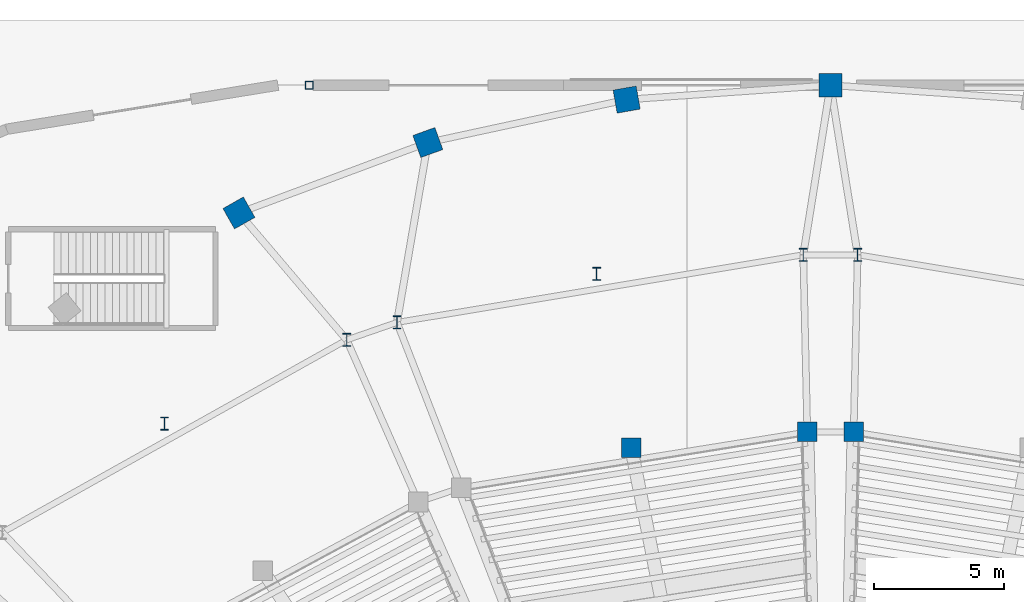
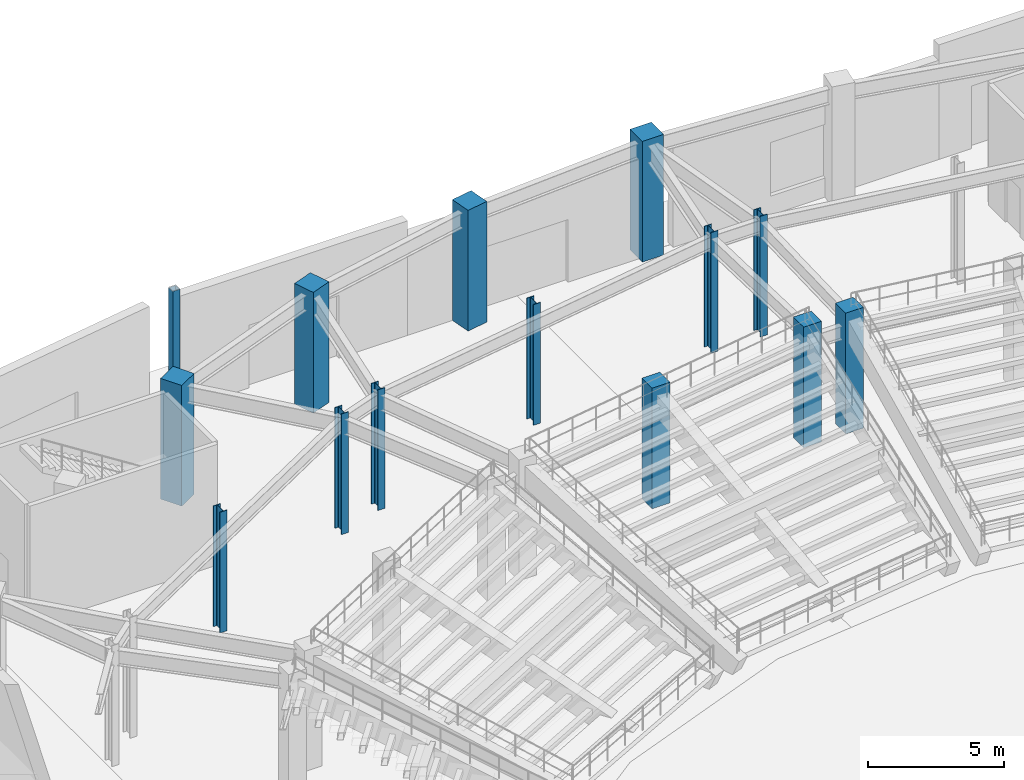
# One storey, part 14 of 79: 14 columns.
"""IFC4 building model written with IfcOpenShell, lengths in metres."""

from ifc_helpers import new_model, si_unit, direction, frame, origin, origin_2d, place, context, subcontext, project, spatial, rectangle, hollow_rectangle, i_section, extrude, material, material_profile, profile_set, type_object, element, save


model = new_model("IFC4")

# Units and contexts
model_context = context("Model", 3, precision=1e-05, world=origin(), true_north=direction((0.0, 1.0)))
body_context = subcontext(model_context, "Body", "Model", "MODEL_VIEW")
ifc_project = project(units=[si_unit("LENGTHUNIT", "METRE"), si_unit("AREAUNIT", "SQUARE_METRE"), si_unit("VOLUMEUNIT", "CUBIC_METRE"), si_unit("PLANEANGLEUNIT", "RADIAN"), si_unit("MASSUNIT", "GRAM", prefix="KILO")], contexts=[model_context])

# Site, building, storey
site_placement = place(None, origin())
site = spatial("IfcSite", under=ifc_project, at=site_placement, CompositionType="ELEMENT")
building_placement = place(site_placement, origin())
building = spatial("IfcBuilding", under=site, at=building_placement, Name="Glasvene Arena", CompositionType="ELEMENT")
storey_placement = place(building_placement, origin())
storey = spatial("IfcBuildingStorey", under=building, at=storey_placement, Name="L00", CompositionType="ELEMENT", Elevation=0.0)

# Columns
ifc_material_1 = material(Name="Concrete C40/50", Category="concrete")
ifc_material_profile_1 = material_profile(ifc_material_1, rectangle(XDim=0.89990234375, YDim=0.89990234375, at=origin_2d()), Name="RC 900x900")
ifc_profile_set_1 = profile_set([ifc_material_profile_1], Name="Concrete C40/50")
column_type_1 = type_object("IfcColumnType", Name="COL-BOWL-RC900", PredefinedType="COLUMN", material=ifc_profile_set_1)
for number, where, z_axis, x_axis, name in (
    (1, (92.0, 118.0, 0.0), (0.0, 0.0, 1.0), (0.0, 1.0, 0.0), "Bowl ring column R11 L00"),
    (2, (84.17822265625, 117.446044921875, 0.0), (0.0, 0.0, 1.0), (-0.173304404339, 0.984868307662, 0.0), "Bowl ring column R12 L00"),
    (3, (76.54931640625, 115.797607421875, 0.0), (0.0, 0.0, 1.0), (-0.339558864524, 0.94058480613, 0.0), "Bowl ring column R13 L00"),
    (4, (69.300537109375, 113.09521484375, 0.0), (0.0, 0.0, 1.0), (-0.492727341548, 0.87018375467, 0.0), "Bowl ring column R14 L00"),
):
    element("IfcColumn", number, at=place(storey_placement, frame(where, z_axis=z_axis, x_axis=x_axis)), inside=storey, type_object=column_type_1, Name=name, PredefinedType="COLUMN", context=body_context, shape_type="SweptSolid", body=[
        extrude(rectangle(XDim=0.89990234375, YDim=0.89990234375, at=origin_2d()), origin(), (0.0, 0.0, 1.0), 5.39990234375),
    ])
ifc_material_profile_2 = material_profile(ifc_material_1, rectangle(XDim=0.75, YDim=0.75, at=origin_2d()), Name="RC 750x750")
ifc_profile_set_2 = profile_set([ifc_material_profile_2], Name="Concrete C40/50")
column_type_2 = type_object("IfcColumnType", Name="COL-MID-RC750", PredefinedType="COLUMN", material=ifc_profile_set_2)
for number, where, z_axis, x_axis, name in (
    (5, (92.889404296875, 104.69189453125, 0.0), (0.0, 0.0, 1.0), (1.0, 0.0, 0.0), "Mid-bowl fulcrum column L00 04-2"),
    (6, (91.110595703125, 104.69189453125, 0.0), (0.0, 0.0, 1.0), (1.0, 0.0, 0.0), "Mid-bowl fulcrum column L00 05-1"),
    (7, (84.3525390625, 104.0908203125, 0.0), (0.0, 0.0, 1.0), (1.0, 0.0, 0.0), "Mid-sector fulcrum column L00 05"),
):
    element("IfcColumn", number, at=place(storey_placement, frame(where, z_axis=z_axis, x_axis=x_axis)), inside=storey, type_object=column_type_2, Name=name, PredefinedType="COLUMN", context=body_context, shape_type="SweptSolid", body=[
        extrude(rectangle(XDim=0.75, YDim=0.75, at=origin_2d()), origin(), (0.0, 0.0, 1.0), 5.39990234375),
    ])
ifc_material_2 = material(Name="Steel S355J2", Category="steel")
ifc_material_profile_3 = material_profile(ifc_material_2, i_section(OverallWidth=0.300048828125, OverallDepth=0.5, WebThickness=0.014404296875, FlangeThickness=0.028076171875, FilletRadius=0.027099609375, at=origin_2d()), Name="HEB 500")
ifc_profile_set_3 = profile_set([ifc_material_profile_3], Name="Steel S355J2")
column_type_3 = type_object("IfcColumnType", Name="COL-W-HEB500", PredefinedType="COLUMN", material=ifc_profile_set_3)
for number, where, z_axis, x_axis, name in (
    (8, (93.043701171875, 111.489990234375, 0.0), (0.0, 0.0, 1.0), (1.0, 0.0, 0.0), "Upper raker rear column L00 04-2"),
    (9, (90.956298828125, 111.489990234375, 0.0), (0.0, 0.0, 1.0), (1.0, 0.0, 0.0), "Upper raker rear column L00 05-1"),
    (10, (75.365234375, 108.89453125, 0.0), (0.0, 0.0, 1.0), (1.0, 0.0, 0.0), "Upper raker rear column L00 05-2"),
    (11, (73.43701171875, 108.225830078125, 0.0), (0.0, 0.0, 1.0), (1.0, 0.0, 0.0), "Upper raker rear column L00 06-1"),
    (12, (83.02587890625, 110.76025390625, 0.0), (0.0, 0.0, 1.0), (1.0, 0.0, 0.0), "Mid-sector rear raker column L00 05"),
    (13, (66.44384765625, 105.01171875, 0.0), (0.0, 0.0, 1.0), (1.0, 0.0, 0.0), "Mid-sector rear raker column L00 06"),
):
    element("IfcColumn", number, at=place(storey_placement, frame(where, z_axis=z_axis, x_axis=x_axis)), inside=storey, type_object=column_type_3, Name=name, PredefinedType="COLUMN", context=body_context, shape_type="SweptSolid", body=[
        extrude(i_section(OverallWidth=0.300048828125, OverallDepth=0.5, WebThickness=0.014404296875, FlangeThickness=0.028076171875, FilletRadius=0.027099609375, at=origin_2d()), origin(), (0.0, 0.0, 1.0), 5.39990234375),
    ])
ifc_material_profile_4 = material_profile(ifc_material_2, hollow_rectangle(XDim=0.300048828125, YDim=0.300048828125, WallThickness=0.012451171875, at=origin_2d()), Name="SHS 300x300x12.5")
ifc_profile_set_4 = profile_set([ifc_material_profile_4], Name="Steel S355J2")
column_type_4 = type_object("IfcColumnType", Name="COL-W-SHS300", PredefinedType="COLUMN", material=ifc_profile_set_4)
column_placement = place(storey_placement, frame((72.0, 118.0, 0.0), z_axis=(0.0, 0.0, 1.0), x_axis=(1.0, 0.0, 0.0)))
element("IfcColumn", 14, at=column_placement, inside=storey, type_object=column_type_4, Name="Grid column 9-14 L00", PredefinedType="COLUMN", context=body_context, shape_type="SweptSolid", body=[
    extrude(hollow_rectangle(XDim=0.300048828125, YDim=0.300048828125, WallThickness=0.012451171875, at=origin_2d()), origin(), (0.0, 0.0, 1.0), 5.39990234375),
])

save(model, "model.ifc")
